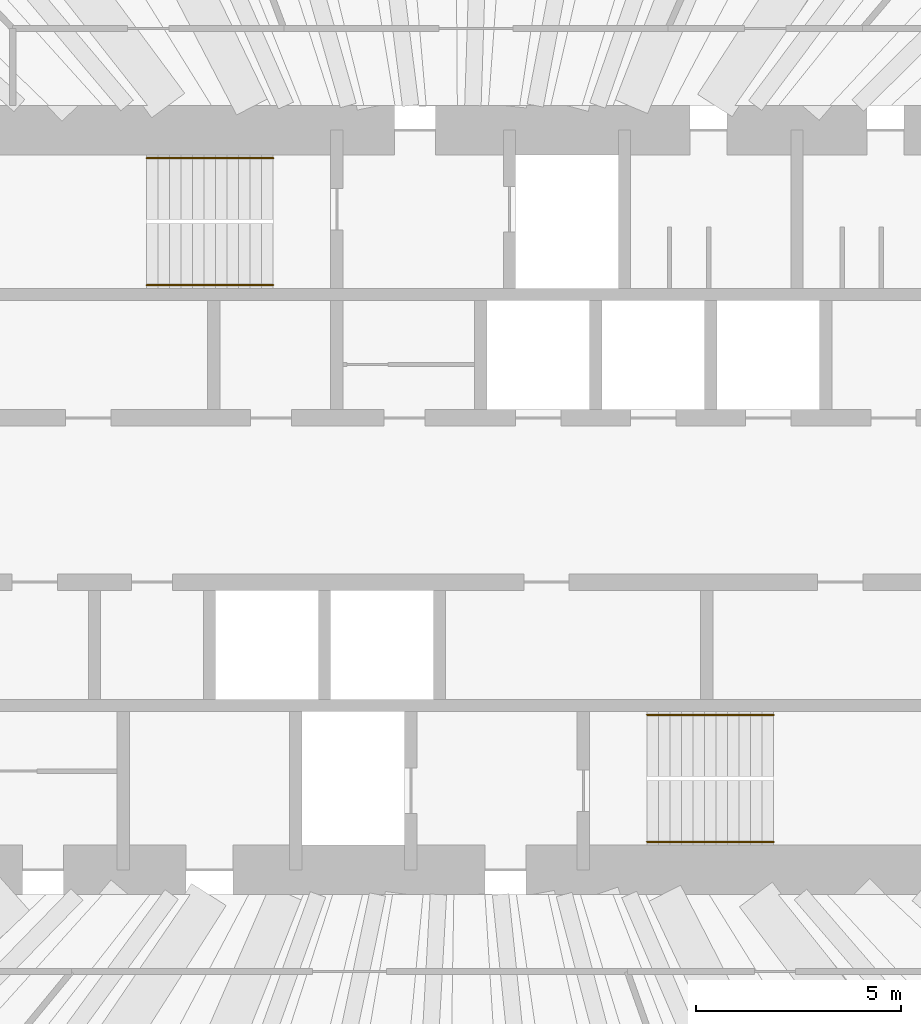
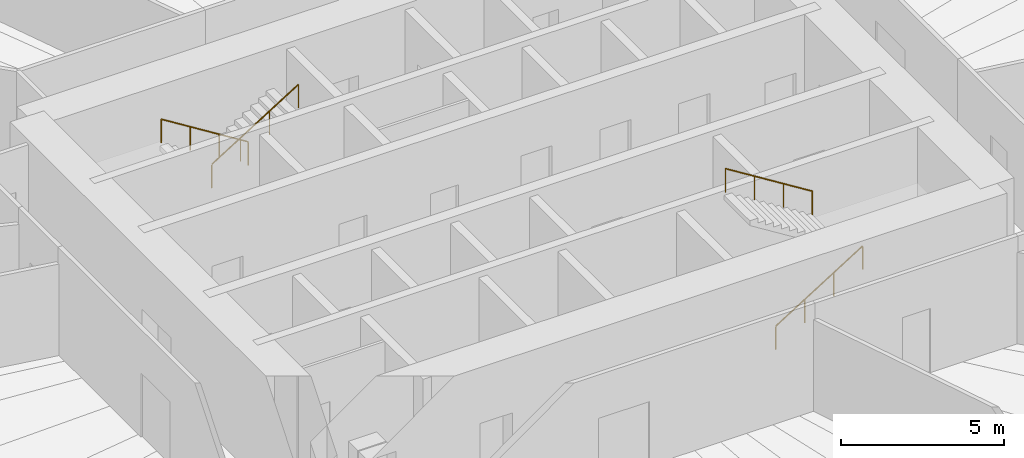
# One storey, part 12 of 12: 4 railings.
"""IFC4 building model written with IfcOpenShell, lengths in metres."""

from ifc_helpers import new_model, si_unit, direction, frame, origin, origin_2d, place, context, subcontext, project, spatial, circle, extrude, material, type_object, element, save


model = new_model("IFC4")

# Units and contexts
model_context = context("Model", 3, precision=1e-05, world=origin(), true_north=direction((0.0, 1.0)))
body_context = subcontext(model_context, "Body", "Model", "MODEL_VIEW")
ifc_project = project(units=[si_unit("LENGTHUNIT", "METRE"), si_unit("AREAUNIT", "SQUARE_METRE"), si_unit("VOLUMEUNIT", "CUBIC_METRE"), si_unit("PLANEANGLEUNIT", "RADIAN"), si_unit("MASSUNIT", "GRAM", prefix="KILO")], contexts=[model_context])

# Site, building, storey
site_placement = place(None, origin())
site = spatial("IfcSite", under=ifc_project, at=site_placement, CompositionType="ELEMENT")
building_placement = place(site_placement, origin())
building = spatial("IfcBuilding", under=site, at=building_placement, Name="Qingtian Harvest Tower", CompositionType="ELEMENT")
storey_placement = place(building_placement, frame((0.0, 0.0, 184.60009765625)))
storey = spatial("IfcBuildingStorey", under=building, at=storey_placement, Name="L39", CompositionType="ELEMENT", Elevation=184.60009765625)

# Railings
ifc_material = material(Name="Stainless steel handrail", Category="steel")
railing_type = type_object("IfcRailingType", Name="Handrail HR1", PredefinedType="HANDRAIL", material=ifc_material)
railing_1_placement = place(storey_placement, frame((-4.550048828125, 8.320068359375, 0.1748046875)))
element("IfcRailing", 1, at=railing_1_placement, inside=storey, type_object=railing_type, Name="Handrail HR1 S1 flight 1", PredefinedType="HANDRAIL", context=body_context, shape_type="SweptSolid", body=[
    extrude(circle(Radius=0.02392578125, at=origin_2d()), frame((0.0, 0.0, 0.8759765625), z_axis=(-0.847979421464, 0.0, 0.530029150871), x_axis=(0.0, -1.0, 0.0)), (0.0, 0.0, 1.0), 3.632080078125),
    extrude(circle(Radius=0.02099609375, at=origin_2d()), origin(), (0.0, 0.0, 1.0), 0.851806640625),
    extrude(circle(Radius=0.02099609375, at=origin_2d()), frame((-1.026611328125, 0.0, 0.6416015625)), (0.0, 0.0, 1.0), 0.851806640625),
    extrude(circle(Radius=0.02099609375, at=origin_2d()), frame((-2.05322265625, 0.0, 1.283447265625)), (0.0, 0.0, 1.0), 0.851806640625),
    extrude(circle(Radius=0.02099609375, at=origin_2d()), frame((-3.079833984375, 0.0, 1.925048828125)), (0.0, 0.0, 1.0), 0.851806640625),
])
for number, where, name in (
    (2, (-7.6298828125, 5.22998046875, 2.27490234375), "Handrail HR1 S1 flight 2"),
    (3, (4.550048828125, -8.320068359375, 0.1748046875), "Handrail HR1 S2 flight 1"),
):
    element("IfcRailing", number, at=place(storey_placement, frame(where)), inside=storey, type_object=railing_type, Name=name, PredefinedType="HANDRAIL", context=body_context, shape_type="SweptSolid", body=[
        extrude(circle(Radius=0.02392578125, at=origin_2d()), frame((0.0, 0.0, 0.8759765625), z_axis=(0.847979421464, 0.0, 0.530029150871), x_axis=(0.0, 1.0, 0.0)), (0.0, 0.0, 1.0), 3.632080078125),
        extrude(circle(Radius=0.02099609375, at=origin_2d()), origin(), (0.0, 0.0, 1.0), 0.851806640625),
        extrude(circle(Radius=0.02099609375, at=origin_2d()), frame((1.026611328125, 0.0, 0.6416015625)), (0.0, 0.0, 1.0), 0.851806640625),
        extrude(circle(Radius=0.02099609375, at=origin_2d()), frame((2.05322265625, 0.0, 1.283447265625)), (0.0, 0.0, 1.0), 0.851806640625),
        extrude(circle(Radius=0.02099609375, at=origin_2d()), frame((3.079833984375, 0.0, 1.925048828125)), (0.0, 0.0, 1.0), 0.851806640625),
    ])
railing_2_placement = place(storey_placement, frame((7.6298828125, -5.22998046875, 2.27490234375)))
element("IfcRailing", 4, at=railing_2_placement, inside=storey, type_object=railing_type, Name="Handrail HR1 S2 flight 2", PredefinedType="HANDRAIL", context=body_context, shape_type="SweptSolid", body=[
    extrude(circle(Radius=0.02392578125, at=origin_2d()), frame((0.0, 0.0, 0.8759765625), z_axis=(-0.847979421464, 0.0, 0.530029150871), x_axis=(0.0, -1.0, 0.0)), (0.0, 0.0, 1.0), 3.632080078125),
    extrude(circle(Radius=0.02099609375, at=origin_2d()), origin(), (0.0, 0.0, 1.0), 0.851806640625),
    extrude(circle(Radius=0.02099609375, at=origin_2d()), frame((-1.026611328125, 0.0, 0.6416015625)), (0.0, 0.0, 1.0), 0.851806640625),
    extrude(circle(Radius=0.02099609375, at=origin_2d()), frame((-2.05322265625, 0.0, 1.283447265625)), (0.0, 0.0, 1.0), 0.851806640625),
    extrude(circle(Radius=0.02099609375, at=origin_2d()), frame((-3.079833984375, 0.0, 1.925048828125)), (0.0, 0.0, 1.0), 0.851806640625),
])

save(model, "model.ifc")
